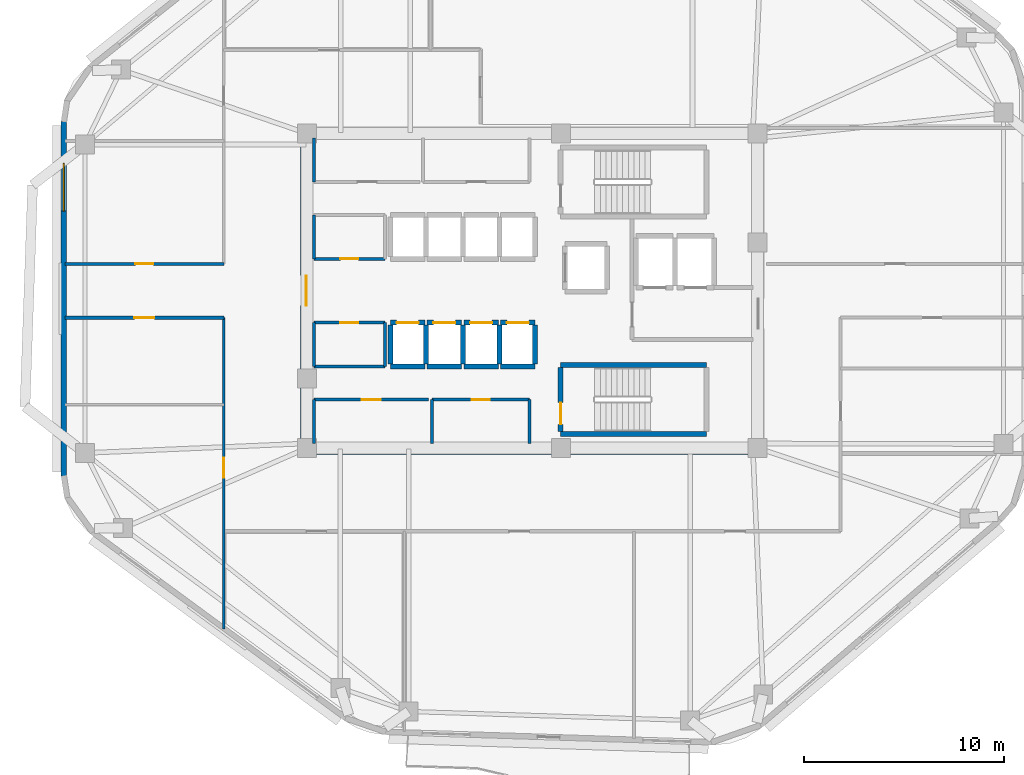
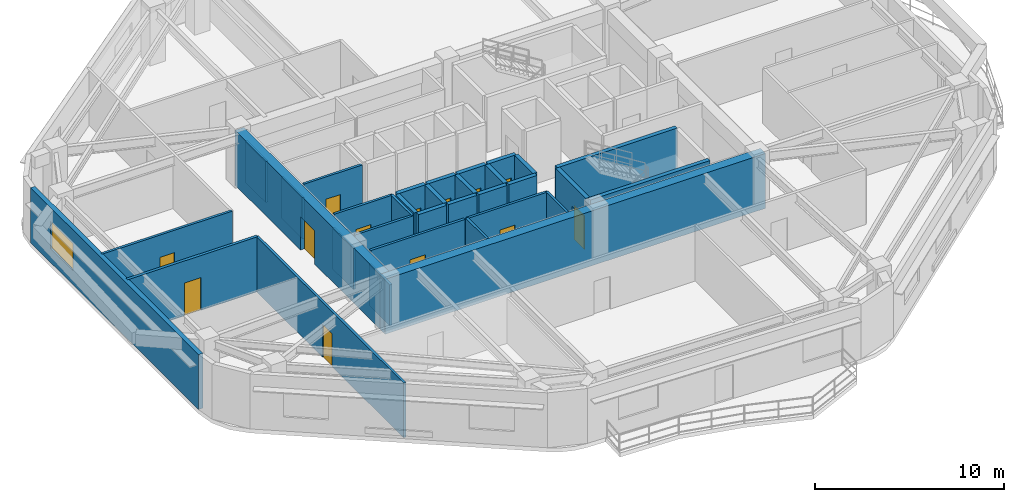
# One storey, part 3 of 8: 34 walls, 13 doors, 1 window, 14 openings.
"""IFC4 building model written with IfcOpenShell, lengths in metres."""

from ifc_helpers import new_model, si_unit, direction, frame, frame_2d, origin, place, context, subcontext, project, spatial, rectangle, extrude, material, layer, layer_set, type_object, element, fill, save


model = new_model("IFC4")

# Units and contexts
model_context = context("Model", 3, precision=1e-05, world=origin(), true_north=direction((0.0, 1.0)))
body_context = subcontext(model_context, "Body", "Model", "MODEL_VIEW")
ifc_project = project(units=[si_unit("LENGTHUNIT", "METRE"), si_unit("AREAUNIT", "SQUARE_METRE"), si_unit("VOLUMEUNIT", "CUBIC_METRE"), si_unit("PLANEANGLEUNIT", "RADIAN"), si_unit("MASSUNIT", "GRAM", prefix="KILO")], contexts=[model_context])

# Site, building, storey
site_placement = place(None, origin())
site = spatial("IfcSite", under=ifc_project, at=site_placement, CompositionType="ELEMENT")
building_placement = place(site_placement, origin())
building = spatial("IfcBuilding", under=site, at=building_placement, Name="Zulverin Broadcast Headquarters", CompositionType="ELEMENT")
storey_placement = place(building_placement, frame((0.0, 0.0, 182.0)))
storey = spatial("IfcBuildingStorey", under=building, at=storey_placement, Name="L46", CompositionType="ELEMENT", Elevation=182.0)

# Wall
ifc_material_1 = material(Name="Concrete C60/75", Category="concrete")
ifc_layer_1 = layer(ifc_material_1, 0.550048828125, Name="Concrete C60/75", Category="concrete")
ifc_layer_set_1 = layer_set([ifc_layer_1], Name="Concrete C60/75")
wall_type_1 = type_object("IfcWallType", Name="WL-CORE-550", PredefinedType="SHEAR", material=ifc_layer_set_1)
wall_1_placement = place(storey_placement, frame((25.39990234375, 17.27490234375, 0.0), z_axis=(0.0, 0.0, 1.0), x_axis=(1.0, 0.0, 0.0)))
element("IfcWall", 1, at=wall_1_placement, inside=storey, type_object=wall_type_1, Name="L46 Core South Shear Wall", PredefinedType="SHEAR", context=body_context, shape_type="SweptSolid", body=[
    extrude(rectangle(XDim=23.2001953125, YDim=0.550048828125, at=frame_2d((11.60009765625, 0.0))), origin(), (0.0, 0.0, 1.0), 3.5400390625),
])

# Wall, opening, door
wall_2_placement = place(storey_placement, frame((25.675048828125, 17.550048828125, 0.0), z_axis=(0.0, 0.0, 1.0), x_axis=(0.0, 1.0, 0.0)))
wall_2 = element("IfcWall", 2, at=wall_2_placement, inside=storey, type_object=wall_type_1, Name="L46 Core West Shear Wall", PredefinedType="SHEAR", context=body_context, shape_type="SweptSolid", body=[
    extrude(rectangle(XDim=15.300048828125, YDim=0.550048828125, at=frame_2d((7.64990234375, 0.0))), origin(), (0.0, 0.0, 1.0), 3.5400390625),
])
opening_1_placement = place(wall_2_placement, frame((6.89990234375, 0.0, 0.0)))
opening_1 = element("IfcOpeningElement", 3, at=opening_1_placement, cuts=wall_2, Name="Opening D-L46-CW1", PredefinedType="OPENING", context=body_context, shape_type="SweptSolid", body=[
    extrude(rectangle(XDim=1.5, YDim=2.14990234375, at=frame_2d((0.75, 1.074951171875))), frame((0.0, 0.284912109375, 0.0), z_axis=(0.0, -1.0, 0.0), x_axis=(1.0, 0.0, 0.0)), (0.0, 0.0, 1.0), 0.570068359375),
])
ifc_material_2 = material(Name="Fire-rated glazed steel frame", Category="steel")
door_type_1 = type_object("IfcDoorType", Name="DR-COR-1500", OperationType="DOUBLE_DOOR_SINGLE_SWING", PredefinedType="DOOR", material=ifc_material_2)
door_1_placement = place(opening_1_placement, origin())
door_1 = element("IfcDoor", 4, at=door_1_placement, inside=storey, type_object=door_type_1, Name="L46 Central Lift Lobby West Portal Door", OperationType="DOUBLE_DOOR_SINGLE_SWING", OverallHeight=2.14990234375, OverallWidth=1.5, PredefinedType="DOOR", context=body_context, shape_type="SweptSolid", body=[
    extrude(rectangle(XDim=1.5, YDim=2.14990234375, at=frame_2d((0.75, 1.074951171875))), frame((0.0, 0.02490234375, 0.0), z_axis=(0.0, -1.0, 0.0), x_axis=(1.0, 0.0, 0.0)), (0.0, 0.0, 1.0), 0.050048828125),
])
fill(opening_1, door_1)

# Wall, opening, window
ifc_material_3 = material(Name="Insulated pale-metal clad concrete spandrel C40/50", Category="concrete")
ifc_layer_2 = layer(ifc_material_3, 0.280029296875, Name="Insulated pale-metal clad concrete spandrel C40/50", Category="concrete")
ifc_layer_set_2 = layer_set([ifc_layer_2], Name="Insulated pale-metal clad concrete spandrel C40/50")
wall_type_2 = type_object("IfcWallType", Name="WL-EXT-280", PredefinedType="STANDARD", material=ifc_layer_set_2)
wall_3_placement = place(storey_placement, frame((13.5400390625, 33.673095703125, 0.0), z_axis=(0.0, 0.0, 1.0), x_axis=(0.0, -1.0, 0.0)))
wall_3 = element("IfcWall", 5, at=wall_3_placement, inside=storey, type_object=wall_type_2, Name="L46 Pale-Metal Clad Spandrel Wall 7", PredefinedType="STANDARD", context=body_context, shape_type="SweptSolid", body=[
    extrude(rectangle(XDim=17.751220703125, YDim=0.280029296875, at=frame_2d((8.87548828125, 0.0))), origin(), (0.0, 0.0, 1.0), 3.5400390625),
])
opening_2_placement = place(wall_3_placement, frame((2.091796875, 0.0, 0.89990234375)))
opening_2 = element("IfcOpeningElement", 6, at=opening_2_placement, cuts=wall_3, Name="Opening W-L46-E71", PredefinedType="OPENING", context=body_context, shape_type="SweptSolid", body=[
    extrude(rectangle(XDim=2.39990234375, YDim=1.75, at=frame_2d((1.199951171875, 0.875))), frame((0.0, 0.14990234375, 0.0), z_axis=(0.0, -1.0, 0.0), x_axis=(1.0, 0.0, 0.0)), (0.0, 0.0, 1.0), 0.300048828125),
])
ifc_material_4 = material(Name="Pale anodized aluminium frame with solar-control low-E double glazing", Category="aluminium")
window_type = type_object("IfcWindowType", Name="WIN-RIB-2400", PartitioningType="SINGLE_PANEL", PredefinedType="WINDOW", material=ifc_material_4)
window_placement = place(opening_2_placement, origin())
window = element("IfcWindow", 7, at=window_placement, inside=storey, type_object=window_type, Name="L46 Ribbon Glazing Window 7 1", OverallHeight=1.75, OverallWidth=2.39990234375, PartitioningType="SINGLE_PANEL", PredefinedType="WINDOW", context=body_context, shape_type="SweptSolid", body=[
    extrude(rectangle(XDim=2.39990234375, YDim=1.75, at=frame_2d((1.199951171875, 0.875))), frame((0.0, 0.030029296875, 0.0), z_axis=(0.0, -1.0, 0.0), x_axis=(1.0, 0.0, 0.0)), (0.0, 0.0, 1.0), 0.06005859375),
])
fill(opening_2, window)

# Wall
ifc_material_5 = material(Name="Fire-rated gypsum stud partition", Category="gypsum")
ifc_layer_3 = layer(ifc_material_5, 0.14990234375, Name="Fire-rated gypsum stud partition", Category="gypsum")
ifc_layer_set_3 = layer_set([ifc_layer_3], Name="Fire-rated gypsum stud partition")
wall_type_3 = type_object("IfcWallType", Name="WL-PART-150", PredefinedType="PARTITIONING", material=ifc_layer_set_3)
wall_4_placement = place(storey_placement, frame((26.070068359375, 30.64990234375, 0.0), z_axis=(0.0, 0.0, 1.0), x_axis=(0.0, 1.0, 0.0)))
element("IfcWall", 8, at=wall_4_placement, inside=storey, type_object=wall_type_3, Name="L46 Core Male WC West Wall", PredefinedType="PARTITIONING", context=body_context, shape_type="SweptSolid", body=[
    extrude(rectangle(XDim=2.2001953125, YDim=0.14990234375, at=frame_2d((1.10009765625, 0.0))), origin(), (0.0, 0.0, 1.0), 2.639892578125),
])

# Wall, opening, door
wall_5_placement = place(storey_placement, frame((26.070068359375, 19.75, 0.0), z_axis=(0.0, 0.0, 1.0), x_axis=(1.0, 0.0, 0.0)))
wall_5 = element("IfcWall", 9, at=wall_5_placement, inside=storey, type_object=wall_type_3, Name="L46 Core Female WC Front Wall", PredefinedType="PARTITIONING", context=body_context, shape_type="SweptSolid", body=[
    extrude(rectangle(XDim=5.739990234375, YDim=0.14990234375, at=frame_2d((2.8701171875, 0.0))), origin(), (0.0, 0.0, 1.0), 3.5400390625),
])
opening_3_placement = place(wall_5_placement, frame((2.39501953125, 0.0, 0.0)))
opening_3 = element("IfcOpeningElement", 10, at=opening_3_placement, cuts=wall_5, Name="Opening D-L46-SC1", PredefinedType="OPENING", context=body_context, shape_type="SweptSolid", body=[
    extrude(rectangle(XDim=0.949951171875, YDim=2.10009765625, at=frame_2d((0.47509765625, 1.050048828125))), frame((0.0, 0.0849609375, 0.0), z_axis=(0.0, -1.0, 0.0), x_axis=(1.0, 0.0, 0.0)), (0.0, 0.0, 1.0), 0.169921875),
])
ifc_material_6 = material(Name="Fire-rated moisture-resistant laminate leaf", Category="wood")
door_type_2 = type_object("IfcDoorType", Name="DR-WC-950", OperationType="SINGLE_SWING_LEFT", PredefinedType="DOOR", material=ifc_material_6)
door_2_placement = place(opening_3_placement, origin())
door_2 = element("IfcDoor", 11, at=door_2_placement, inside=storey, type_object=door_type_2, Name="L46 Female WC Door", OperationType="SINGLE_SWING_LEFT", OverallHeight=2.10009765625, OverallWidth=0.949951171875, PredefinedType="DOOR", context=body_context, shape_type="SweptSolid", body=[
    extrude(rectangle(XDim=0.949951171875, YDim=2.10009765625, at=frame_2d((0.47509765625, 1.050048828125))), frame((0.0, 0.02490234375, 0.0), z_axis=(0.0, -1.0, 0.0), x_axis=(1.0, 0.0, 0.0)), (0.0, 0.0, 1.0), 0.050048828125),
])
fill(opening_3, door_2)

# Wall
wall_6_placement = place(storey_placement, frame((26.070068359375, 17.550048828125, 0.0), z_axis=(0.0, 0.0, 1.0), x_axis=(0.0, 1.0, 0.0)))
element("IfcWall", 12, at=wall_6_placement, inside=storey, type_object=wall_type_3, Name="L46 Core Female WC West Wall", PredefinedType="PARTITIONING", context=body_context, shape_type="SweptSolid", body=[
    extrude(rectangle(XDim=2.199951171875, YDim=0.14990234375, at=frame_2d((1.10009765625, 0.0))), origin(), (0.0, 0.0, 1.0), 2.639892578125),
])

# Wall, opening, door
wall_7_placement = place(storey_placement, frame((31.969970703125, 19.75, 0.0), z_axis=(0.0, 0.0, 1.0), x_axis=(1.0, 0.0, 0.0)))
wall_7 = element("IfcWall", 13, at=wall_7_placement, inside=storey, type_object=wall_type_3, Name="L46 Core Cleaner Store & Telecoms Riser Front Wall", PredefinedType="PARTITIONING", context=body_context, shape_type="SweptSolid", body=[
    extrude(rectangle(XDim=4.880126953125, YDim=0.14990234375, at=frame_2d((2.43994140625, 0.0))), origin(), (0.0, 0.0, 1.0), 3.5400390625),
])
opening_4_placement = place(wall_7_placement, frame((1.989990234375, 0.0, 0.0)))
opening_4 = element("IfcOpeningElement", 14, at=opening_4_placement, cuts=wall_7, Name="Opening D-L46-SC2", PredefinedType="OPENING", context=body_context, shape_type="SweptSolid", body=[
    extrude(rectangle(XDim=0.89990234375, YDim=2.10009765625, at=frame_2d((0.449951171875, 1.050048828125))), frame((0.0, 0.0849609375, 0.0), z_axis=(0.0, -1.0, 0.0), x_axis=(1.0, 0.0, 0.0)), (0.0, 0.0, 1.0), 0.169921875),
])
ifc_material_7 = material(Name="Powder-coated steel access leaf", Category="steel")
door_type_3 = type_object("IfcDoorType", Name="DR-RISER-900", OperationType="SINGLE_SWING_LEFT", PredefinedType="DOOR", material=ifc_material_7)
door_3_placement = place(opening_4_placement, origin())
door_3 = element("IfcDoor", 15, at=door_3_placement, inside=storey, type_object=door_type_3, Name="L46 Cleaner Store & Telecoms Riser Door", OperationType="SINGLE_SWING_RIGHT", OverallHeight=2.10009765625, OverallWidth=0.89990234375, PredefinedType="DOOR", context=body_context, shape_type="SweptSolid", body=[
    extrude(rectangle(XDim=0.89990234375, YDim=2.10009765625, at=frame_2d((0.449951171875, 1.050048828125))), frame((0.0, 0.02490234375, 0.0), z_axis=(0.0, -1.0, 0.0), x_axis=(1.0, 0.0, 0.0)), (0.0, 0.0, 1.0), 0.050048828125),
])
fill(opening_4, door_3)

# Walls
for number, where, z_axis, x_axis, name in (
    (16, (31.969970703125, 17.550048828125, 0.0), (0.0, 0.0, 1.0), (0.0, 1.0, 0.0), "L46 Core Cleaner Store & Telecoms Riser West Wall"),
    (17, (36.85009765625, 17.550048828125, 0.0), (0.0, 0.0, 1.0), (0.0, 1.0, 0.0), "L46 Core Cleaner Store & Telecoms Riser East Wall"),
):
    element("IfcWall", number, at=place(storey_placement, frame(where, z_axis=z_axis, x_axis=x_axis)), inside=storey, type_object=wall_type_3, Name=name, PredefinedType="PARTITIONING", context=body_context, shape_type="SweptSolid", body=[
        extrude(rectangle(XDim=2.199951171875, YDim=0.14990234375, at=frame_2d((1.10009765625, 0.0))), origin(), (0.0, 0.0, 1.0), 3.5400390625),
    ])

# Wall, opening, door
wall_8_placement = place(storey_placement, frame((26.070068359375, 26.800048828125, 0.0), z_axis=(0.0, 0.0, 1.0), x_axis=(1.0, 0.0, 0.0)))
wall_8 = element("IfcWall", 18, at=wall_8_placement, inside=storey, type_object=wall_type_3, Name="L46 Broadcast Signal Patch Room S Wall", PredefinedType="PARTITIONING", context=body_context, shape_type="SweptSolid", body=[
    extrude(rectangle(XDim=3.550048828125, YDim=0.14990234375, at=frame_2d((1.77490234375, 0.0))), origin(), (0.0, 0.0, 1.0), 3.5400390625),
])
opening_5_placement = place(wall_8_placement, frame((1.324951171875, 0.0, 0.0)))
opening_5 = element("IfcOpeningElement", 19, at=opening_5_placement, cuts=wall_8, Name="Opening D-L46-RCLN", PredefinedType="OPENING", context=body_context, shape_type="SweptSolid", body=[
    extrude(rectangle(XDim=0.89990234375, YDim=2.10009765625, at=frame_2d((0.449951171875, 1.050048828125))), frame((0.0, 0.0849609375, 0.0), z_axis=(0.0, -1.0, 0.0), x_axis=(1.0, 0.0, 0.0)), (0.0, 0.0, 1.0), 0.169921875),
])
door_4_placement = place(opening_5_placement, origin())
door_4 = element("IfcDoor", 20, at=door_4_placement, inside=storey, type_object=door_type_3, Name="L46 Broadcast Signal Patch Room Door", OperationType="SINGLE_SWING_LEFT", OverallHeight=2.10009765625, OverallWidth=0.89990234375, PredefinedType="DOOR", context=body_context, shape_type="SweptSolid", body=[
    extrude(rectangle(XDim=0.89990234375, YDim=2.10009765625, at=frame_2d((0.449951171875, 1.050048828125))), frame((0.0, 0.02490234375, 0.0), z_axis=(0.0, -1.0, 0.0), x_axis=(1.0, 0.0, 0.0)), (0.0, 0.0, 1.0), 0.050048828125),
])
fill(opening_5, door_4)

# Walls
wall_9_placement = place(storey_placement, frame((26.070068359375, 26.800048828125, 0.0), z_axis=(0.0, 0.0, 1.0), x_axis=(0.0, 1.0, 0.0)))
element("IfcWall", 21, at=wall_9_placement, inside=storey, type_object=wall_type_3, Name="L46 Broadcast Signal Patch Room W Wall", PredefinedType="PARTITIONING", context=body_context, shape_type="SweptSolid", body=[
    extrude(rectangle(XDim=2.199951171875, YDim=0.14990234375, at=frame_2d((1.10009765625, 0.0))), origin(), (0.0, 0.0, 1.0), 2.639892578125),
])
wall_10_placement = place(storey_placement, frame((26.070068359375, 21.39990234375, 0.0), z_axis=(0.0, 0.0, 1.0), x_axis=(1.0, 0.0, 0.0)))
element("IfcWall", 22, at=wall_10_placement, inside=storey, type_object=wall_type_3, Name="L46 Media Ingestion Server Room S Wall", PredefinedType="PARTITIONING", context=body_context, shape_type="SweptSolid", body=[
    extrude(rectangle(XDim=3.550048828125, YDim=0.14990234375, at=frame_2d((1.77490234375, 0.0))), origin(), (0.0, 0.0, 1.0), 3.5400390625),
])

# Wall, opening, door
wall_11_placement = place(storey_placement, frame((26.070068359375, 23.60009765625, 0.0), z_axis=(0.0, 0.0, 1.0), x_axis=(1.0, 0.0, 0.0)))
wall_11 = element("IfcWall", 23, at=wall_11_placement, inside=storey, type_object=wall_type_3, Name="L46 Media Ingestion Server Room N Wall", PredefinedType="PARTITIONING", context=body_context, shape_type="SweptSolid", body=[
    extrude(rectangle(XDim=3.550048828125, YDim=0.14990234375, at=frame_2d((1.77490234375, 0.0))), origin(), (0.0, 0.0, 1.0), 3.5400390625),
])
opening_6_placement = place(wall_11_placement, frame((1.324951171875, 0.0, 0.0)))
opening_6 = element("IfcOpeningElement", 24, at=opening_6_placement, cuts=wall_11, Name="Opening D-L46-RCLS", PredefinedType="OPENING", context=body_context, shape_type="SweptSolid", body=[
    extrude(rectangle(XDim=0.89990234375, YDim=2.10009765625, at=frame_2d((0.449951171875, 1.050048828125))), frame((0.0, 0.0849609375, 0.0), z_axis=(0.0, -1.0, 0.0), x_axis=(1.0, 0.0, 0.0)), (0.0, 0.0, 1.0), 0.169921875),
])
door_5_placement = place(opening_6_placement, origin())
door_5 = element("IfcDoor", 25, at=door_5_placement, inside=storey, type_object=door_type_3, Name="L46 Media Ingestion Server Room Door", OperationType="SINGLE_SWING_RIGHT", OverallHeight=2.10009765625, OverallWidth=0.89990234375, PredefinedType="DOOR", context=body_context, shape_type="SweptSolid", body=[
    extrude(rectangle(XDim=0.89990234375, YDim=2.10009765625, at=frame_2d((0.449951171875, 1.050048828125))), frame((0.0, 0.02490234375, 0.0), z_axis=(0.0, -1.0, 0.0), x_axis=(1.0, 0.0, 0.0)), (0.0, 0.0, 1.0), 0.050048828125),
])
fill(opening_6, door_5)

# Walls
wall_12_placement = place(storey_placement, frame((26.070068359375, 21.39990234375, 0.0), z_axis=(0.0, 0.0, 1.0), x_axis=(0.0, 1.0, 0.0)))
element("IfcWall", 26, at=wall_12_placement, inside=storey, type_object=wall_type_3, Name="L46 Media Ingestion Server Room W Wall", PredefinedType="PARTITIONING", context=body_context, shape_type="SweptSolid", body=[
    extrude(rectangle(XDim=2.2001953125, YDim=0.14990234375, at=frame_2d((1.10009765625, 0.0))), origin(), (0.0, 0.0, 1.0), 2.639892578125),
])
wall_13_placement = place(storey_placement, frame((29.6201171875, 21.39990234375, 0.0), z_axis=(0.0, 0.0, 1.0), x_axis=(0.0, 1.0, 0.0)))
element("IfcWall", 27, at=wall_13_placement, inside=storey, type_object=wall_type_3, Name="L46 Media Ingestion Server Room E Wall", PredefinedType="PARTITIONING", context=body_context, shape_type="SweptSolid", body=[
    extrude(rectangle(XDim=2.2001953125, YDim=0.14990234375, at=frame_2d((1.10009765625, 0.0))), origin(), (0.0, 0.0, 1.0), 3.5400390625),
])

# Wall, opening, door
wall_14_placement = place(storey_placement, frame((21.550048828125, 8.25048828125, 0.0), z_axis=(0.0, 0.0, 1.0), x_axis=(0.0, 1.0, 0.0)))
wall_14 = element("IfcWall", 28, at=wall_14_placement, inside=storey, type_object=wall_type_3, Name="L46 Gallery Partition Wall CG-06", PredefinedType="PARTITIONING", context=body_context, shape_type="SweptSolid", body=[
    extrude(rectangle(XDim=15.599609375, YDim=0.14990234375, at=frame_2d((7.7998046875, 0.0))), origin(), (0.0, 0.0, 1.0), 3.5400390625),
])
opening_7_placement = place(wall_14_placement, frame((7.574462890625, 0.0, 0.0)))
opening_7 = element("IfcOpeningElement", 29, at=opening_7_placement, cuts=wall_14, Name="Opening D-L46-06", PredefinedType="OPENING", context=body_context, shape_type="SweptSolid", body=[
    extrude(rectangle(XDim=1.0, YDim=2.1201171875, at=frame_2d((0.5, 1.06005859375))), frame((0.0, 0.0849609375, 0.0), z_axis=(0.0, -1.0, 0.0), x_axis=(1.0, 0.0, 0.0)), (0.0, 0.0, 1.0), 0.169921875),
])
ifc_material_8 = material(Name="Hardwood veneer acoustic leaf", Category="wood")
door_type_4 = type_object("IfcDoorType", Name="DR-OFF-1000", OperationType="SINGLE_SWING_LEFT", PredefinedType="DOOR", material=ifc_material_8)
door_6_placement = place(opening_7_placement, origin())
door_6 = element("IfcDoor", 30, at=door_6_placement, inside=storey, type_object=door_type_4, Name="L46 Legal Office Door", OperationType="SINGLE_SWING_RIGHT", OverallHeight=2.1201171875, OverallWidth=1.0, PredefinedType="DOOR", context=body_context, shape_type="SweptSolid", body=[
    extrude(rectangle(XDim=1.0, YDim=2.1201171875, at=frame_2d((0.5, 1.06005859375))), frame((0.0, 0.02490234375, 0.0), z_axis=(0.0, -1.0, 0.0), x_axis=(1.0, 0.0, 0.0)), (0.0, 0.0, 1.0), 0.050048828125),
])
fill(opening_7, door_6)

wall_15_placement = place(storey_placement, frame((13.60498046875, 26.550048828125, 0.0), z_axis=(0.0, 0.0, 1.0), x_axis=(1.0, 0.0, 0.0)))
wall_15 = element("IfcWall", 31, at=wall_15_placement, inside=storey, type_object=wall_type_3, Name="L46 Gallery Partition Wall CG-14", PredefinedType="PARTITIONING", context=body_context, shape_type="SweptSolid", body=[
    extrude(rectangle(XDim=7.945068359375, YDim=0.14990234375, at=frame_2d((3.97265625, 0.0))), origin(), (0.0, 0.0, 1.0), 3.5400390625),
])
opening_8_placement = place(wall_15_placement, frame((3.5224609375, 0.0, 0.0)))
opening_8 = element("IfcOpeningElement", 32, at=opening_8_placement, cuts=wall_15, Name="Opening D-L46-08", PredefinedType="OPENING", context=body_context, shape_type="SweptSolid", body=[
    extrude(rectangle(XDim=0.89990234375, YDim=2.10009765625, at=frame_2d((0.449951171875, 1.050048828125))), frame((0.0, 0.0849609375, 0.0), z_axis=(0.0, -1.0, 0.0), x_axis=(1.0, 0.0, 0.0)), (0.0, 0.0, 1.0), 0.169921875),
])
ifc_material_9 = material(Name="Fire-rated hardwood veneer timber leaf", Category="wood")
door_type_5 = type_object("IfcDoorType", Name="DR-ROOM-900", OperationType="SINGLE_SWING_RIGHT", PredefinedType="DOOR", material=ifc_material_9)
door_7_placement = place(opening_8_placement, origin())
door_7 = element("IfcDoor", 33, at=door_7_placement, inside=storey, type_object=door_type_5, Name="L46 Conference Room Door", OperationType="SINGLE_SWING_RIGHT", OverallHeight=2.10009765625, OverallWidth=0.89990234375, PredefinedType="DOOR", context=body_context, shape_type="SweptSolid", body=[
    extrude(rectangle(XDim=0.89990234375, YDim=2.10009765625, at=frame_2d((0.449951171875, 1.050048828125))), frame((0.0, 0.02490234375, 0.0), z_axis=(0.0, -1.0, 0.0), x_axis=(1.0, 0.0, 0.0)), (0.0, 0.0, 1.0), 0.050048828125),
])
fill(opening_8, door_7)

ifc_material_10 = material(Name="Fire-rated acoustic stud wall", Category="gypsum")
ifc_layer_4 = layer(ifc_material_10, 0.175048828125, Name="Fire-rated acoustic stud wall", Category="gypsum")
ifc_layer_set_4 = layer_set([ifc_layer_4], Name="Fire-rated acoustic stud wall")
wall_type_4 = type_object("IfcWallType", Name="WL-PART-175", PredefinedType="PARTITIONING", material=ifc_layer_set_4)
wall_16_placement = place(storey_placement, frame((13.60498046875, 23.85009765625, 0.0), z_axis=(0.0, 0.0, 1.0), x_axis=(1.0, 0.0, 0.0)))
wall_16 = element("IfcWall", 34, at=wall_16_placement, inside=storey, type_object=wall_type_4, Name="L46 Gallery Partition Wall CG-12", PredefinedType="PARTITIONING", context=body_context, shape_type="SweptSolid", body=[
    extrude(rectangle(XDim=7.945068359375, YDim=0.175048828125, at=frame_2d((3.97265625, 0.0))), origin(), (0.0, 0.0, 1.0), 3.5400390625),
])
opening_9_placement = place(wall_16_placement, frame((3.472412109375, 0.0, 0.0)))
opening_9 = element("IfcOpeningElement", 35, at=opening_9_placement, cuts=wall_16, Name="Opening D-L46-07", PredefinedType="OPENING", context=body_context, shape_type="SweptSolid", body=[
    extrude(rectangle(XDim=1.0, YDim=2.1201171875, at=frame_2d((0.5, 1.06005859375))), frame((0.0, 0.097412109375, 0.0), z_axis=(0.0, -1.0, 0.0), x_axis=(1.0, 0.0, 0.0)), (0.0, 0.0, 1.0), 0.195068359375),
])
door_8_placement = place(opening_9_placement, origin())
door_8 = element("IfcDoor", 36, at=door_8_placement, inside=storey, type_object=door_type_4, Name="L46 Admin Office Door", OperationType="SINGLE_SWING_LEFT", OverallHeight=2.1201171875, OverallWidth=1.0, PredefinedType="DOOR", context=body_context, shape_type="SweptSolid", body=[
    extrude(rectangle(XDim=1.0, YDim=2.1201171875, at=frame_2d((0.5, 1.06005859375))), frame((0.0, 0.02490234375, 0.0), z_axis=(0.0, -1.0, 0.0), x_axis=(1.0, 0.0, 0.0)), (0.0, 0.0, 1.0), 0.050048828125),
])
fill(opening_9, door_8)

# Walls
ifc_material_11 = material(Name="Concrete C50/60", Category="concrete")
ifc_layer_5 = layer(ifc_material_11, 0.25, Name="Concrete C50/60", Category="concrete")
ifc_layer_set_5 = layer_set([ifc_layer_5], Name="Concrete C50/60")
wall_type_5 = type_object("IfcWallType", Name="WL-SHAFT-250", PredefinedType="SHEAR", material=ifc_layer_set_5)
for number, where, z_axis, x_axis, name in (
    (37, (38.425048828125, 18.02490234375, 0.0), (0.0, 0.0, 1.0), (1.0, 0.0, 0.0), "L46 ST-2 Enclosure Wall S"),
    (38, (38.425048828125, 21.47509765625, 0.0), (0.0, 0.0, 1.0), (1.0, 0.0, 0.0), "L46 ST-2 Enclosure Wall N"),
):
    element("IfcWall", number, at=place(storey_placement, frame(where, z_axis=z_axis, x_axis=x_axis)), inside=storey, type_object=wall_type_5, Name=name, PredefinedType="SHEAR", context=body_context, shape_type="SweptSolid", body=[
        extrude(rectangle(XDim=7.300048828125, YDim=0.25, at=frame_2d((3.64990234375, 0.0))), origin(), (0.0, 0.0, 1.0), 3.5400390625),
    ])

# Wall, opening, door
wall_17_placement = place(storey_placement, frame((38.425048828125, 18.14990234375, 0.0), z_axis=(0.0, 0.0, 1.0), x_axis=(0.0, 1.0, 0.0)))
wall_17 = element("IfcWall", 39, at=wall_17_placement, inside=storey, type_object=wall_type_5, Name="L46 ST-2 Enclosure Wall W", PredefinedType="SHEAR", context=body_context, shape_type="SweptSolid", body=[
    extrude(rectangle(XDim=3.2001953125, YDim=0.25, at=frame_2d((1.60009765625, 0.0))), origin(), (0.0, 0.0, 1.0), 3.5400390625),
])
opening_10_placement = place(wall_17_placement, frame((0.35009765625, 0.0, 0.0)))
opening_10 = element("IfcOpeningElement", 40, at=opening_10_placement, cuts=wall_17, Name="Opening D-L46-ST-2", PredefinedType="OPENING", context=body_context, shape_type="SweptSolid", body=[
    extrude(rectangle(XDim=1.10009765625, YDim=2.14990234375, at=frame_2d((0.550048828125, 1.074951171875))), frame((0.0, 0.135009765625, 0.0), z_axis=(0.0, -1.0, 0.0), x_axis=(1.0, 0.0, 0.0)), (0.0, 0.0, 1.0), 0.27001953125),
])
ifc_material_12 = material(Name="Fire-rated steel leaf and frame", Category="steel")
door_type_6 = type_object("IfcDoorType", Name="DR-STAIR-1100", OperationType="SINGLE_SWING_LEFT", PredefinedType="DOOR", material=ifc_material_12)
door_9_placement = place(opening_10_placement, origin())
door_9 = element("IfcDoor", 41, at=door_9_placement, inside=storey, type_object=door_type_6, Name="L46 Exit Stair ST-2 Fire Door", OperationType="SINGLE_SWING_RIGHT", OverallHeight=2.14990234375, OverallWidth=1.10009765625, PredefinedType="DOOR", context=body_context, shape_type="SweptSolid", body=[
    extrude(rectangle(XDim=1.10009765625, YDim=2.14990234375, at=frame_2d((0.550048828125, 1.074951171875))), frame((0.0, 0.02490234375, 0.0), z_axis=(0.0, -1.0, 0.0), x_axis=(1.0, 0.0, 0.0)), (0.0, 0.0, 1.0), 0.050048828125),
])
fill(opening_10, door_9)

# Wall
wall_18_placement = place(storey_placement, frame((29.89990234375, 21.39990234375, 0.0), z_axis=(0.0, 0.0, 1.0), x_axis=(1.0, 0.0, 0.0)))
element("IfcWall", 42, at=wall_18_placement, inside=storey, type_object=wall_type_5, Name="L46 Lift PL-M1 Shaft Wall S", PredefinedType="SHEAR", context=body_context, shape_type="SweptSolid", body=[
    extrude(rectangle(XDim=1.72021484375, YDim=0.25, at=frame_2d((0.860107421875, 0.0))), origin(), (0.0, 0.0, 1.0), 3.5400390625),
])

# Wall, opening, door
wall_19_placement = place(storey_placement, frame((29.89990234375, 23.60009765625, 0.0), z_axis=(0.0, 0.0, 1.0), x_axis=(1.0, 0.0, 0.0)))
wall_19 = element("IfcWall", 43, at=wall_19_placement, inside=storey, type_object=wall_type_5, Name="L46 Lift PL-M1 Shaft Wall N", PredefinedType="SHEAR", context=body_context, shape_type="SweptSolid", body=[
    extrude(rectangle(XDim=1.72021484375, YDim=0.25, at=frame_2d((0.860107421875, 0.0))), origin(), (0.0, 0.0, 1.0), 3.5400390625),
])
opening_11_placement = place(wall_19_placement, frame((0.31005859375, 0.0, 0.0)))
opening_11 = element("IfcOpeningElement", 44, at=opening_11_placement, cuts=wall_19, Name="Opening LD-PL-M1-L46", PredefinedType="OPENING", context=body_context, shape_type="SweptSolid", body=[
    extrude(rectangle(XDim=1.10009765625, YDim=2.14990234375, at=frame_2d((0.550048828125, 1.074951171875))), frame((0.0, 0.135009765625, 0.0), z_axis=(0.0, -1.0, 0.0), x_axis=(1.0, 0.0, 0.0)), (0.0, 0.0, 1.0), 0.27001953125),
])
ifc_material_13 = material(Name="Brushed stainless steel landing", Category="steel")
door_type_7 = type_object("IfcDoorType", Name="LD-PASS-1100", OperationType="DOUBLE_DOOR_SLIDING", PredefinedType="DOOR", material=ifc_material_13)
door_10_placement = place(opening_11_placement, origin())
door_10 = element("IfcDoor", 45, at=door_10_placement, inside=storey, type_object=door_type_7, Name="L46 Lift PL-M1 Sliding Landing Door", OperationType="DOUBLE_DOOR_SLIDING", OverallHeight=2.14990234375, OverallWidth=1.10009765625, PredefinedType="DOOR", context=body_context, shape_type="SweptSolid", body=[
    extrude(rectangle(XDim=1.10009765625, YDim=2.14990234375, at=frame_2d((0.550048828125, 1.074951171875))), frame((0.0, 0.02490234375, 0.0), z_axis=(0.0, -1.0, 0.0), x_axis=(1.0, 0.0, 0.0)), (0.0, 0.0, 1.0), 0.050048828125),
])
fill(opening_11, door_10)

# Walls
for number, where, z_axis, x_axis, name in (
    (46, (29.89990234375, 21.52001953125, 0.0), (0.0, 0.0, 1.0), (0.0, 1.0, 0.0), "L46 Lift PL-M1 Shaft Wall W"),
    (47, (31.679931640625, 21.52001953125, 0.0), (0.0, 0.0, 1.0), (0.0, 1.0, 0.0), "L46 Lift PL-M1 Shaft Wall E"),
):
    element("IfcWall", number, at=place(storey_placement, frame(where, z_axis=z_axis, x_axis=x_axis)), inside=storey, type_object=wall_type_5, Name=name, PredefinedType="SHEAR", context=body_context, shape_type="SweptSolid", body=[
        extrude(rectangle(XDim=1.9599609375, YDim=0.25, at=frame_2d((0.97998046875, 0.0))), origin(), (0.0, 0.0, 1.0), 3.5400390625),
    ])
wall_20_placement = place(storey_placement, frame((31.739990234375, 21.39990234375, 0.0), z_axis=(0.0, 0.0, 1.0), x_axis=(1.0, 0.0, 0.0)))
element("IfcWall", 48, at=wall_20_placement, inside=storey, type_object=wall_type_5, Name="L46 Lift PL-M2 Shaft Wall S", PredefinedType="SHEAR", context=body_context, shape_type="SweptSolid", body=[
    extrude(rectangle(XDim=1.719970703125, YDim=0.25, at=frame_2d((0.85986328125, 0.0))), origin(), (0.0, 0.0, 1.0), 3.5400390625),
])

# Wall, opening, door
wall_21_placement = place(storey_placement, frame((31.739990234375, 23.60009765625, 0.0), z_axis=(0.0, 0.0, 1.0), x_axis=(1.0, 0.0, 0.0)))
wall_21 = element("IfcWall", 49, at=wall_21_placement, inside=storey, type_object=wall_type_5, Name="L46 Lift PL-M2 Shaft Wall N", PredefinedType="SHEAR", context=body_context, shape_type="SweptSolid", body=[
    extrude(rectangle(XDim=1.719970703125, YDim=0.25, at=frame_2d((0.85986328125, 0.0))), origin(), (0.0, 0.0, 1.0), 3.5400390625),
])
opening_12_placement = place(wall_21_placement, frame((0.31005859375, 0.0, 0.0)))
opening_12 = element("IfcOpeningElement", 50, at=opening_12_placement, cuts=wall_21, Name="Opening LD-PL-M2-L46", PredefinedType="OPENING", context=body_context, shape_type="SweptSolid", body=[
    extrude(rectangle(XDim=1.10009765625, YDim=2.14990234375, at=frame_2d((0.550048828125, 1.074951171875))), frame((0.0, 0.135009765625, 0.0), z_axis=(0.0, -1.0, 0.0), x_axis=(1.0, 0.0, 0.0)), (0.0, 0.0, 1.0), 0.27001953125),
])
door_11_placement = place(opening_12_placement, origin())
door_11 = element("IfcDoor", 51, at=door_11_placement, inside=storey, type_object=door_type_7, Name="L46 Lift PL-M2 Sliding Landing Door", OperationType="DOUBLE_DOOR_SLIDING", OverallHeight=2.14990234375, OverallWidth=1.10009765625, PredefinedType="DOOR", context=body_context, shape_type="SweptSolid", body=[
    extrude(rectangle(XDim=1.10009765625, YDim=2.14990234375, at=frame_2d((0.550048828125, 1.074951171875))), frame((0.0, 0.02490234375, 0.0), z_axis=(0.0, -1.0, 0.0), x_axis=(1.0, 0.0, 0.0)), (0.0, 0.0, 1.0), 0.050048828125),
])
fill(opening_12, door_11)

# Walls
wall_22_placement = place(storey_placement, frame((33.52001953125, 21.52001953125, 0.0), z_axis=(0.0, 0.0, 1.0), x_axis=(0.0, 1.0, 0.0)))
element("IfcWall", 52, at=wall_22_placement, inside=storey, type_object=wall_type_5, Name="L46 Lift PL-M2 Shaft Wall E", PredefinedType="SHEAR", context=body_context, shape_type="SweptSolid", body=[
    extrude(rectangle(XDim=1.9599609375, YDim=0.25, at=frame_2d((0.97998046875, 0.0))), origin(), (0.0, 0.0, 1.0), 3.5400390625),
])
wall_23_placement = place(storey_placement, frame((33.580078125, 21.39990234375, 0.0), z_axis=(0.0, 0.0, 1.0), x_axis=(1.0, 0.0, 0.0)))
element("IfcWall", 53, at=wall_23_placement, inside=storey, type_object=wall_type_5, Name="L46 Lift PL-M3 Shaft Wall S", PredefinedType="SHEAR", context=body_context, shape_type="SweptSolid", body=[
    extrude(rectangle(XDim=1.719970703125, YDim=0.25, at=frame_2d((0.85986328125, 0.0))), origin(), (0.0, 0.0, 1.0), 3.5400390625),
])

# Wall, opening, door
wall_24_placement = place(storey_placement, frame((33.580078125, 23.60009765625, 0.0), z_axis=(0.0, 0.0, 1.0), x_axis=(1.0, 0.0, 0.0)))
wall_24 = element("IfcWall", 54, at=wall_24_placement, inside=storey, type_object=wall_type_5, Name="L46 Lift PL-M3 Shaft Wall N", PredefinedType="SHEAR", context=body_context, shape_type="SweptSolid", body=[
    extrude(rectangle(XDim=1.719970703125, YDim=0.25, at=frame_2d((0.85986328125, 0.0))), origin(), (0.0, 0.0, 1.0), 3.5400390625),
])
opening_13_placement = place(wall_24_placement, frame((0.31005859375, 0.0, 0.0)))
opening_13 = element("IfcOpeningElement", 55, at=opening_13_placement, cuts=wall_24, Name="Opening LD-PL-M3-L46", PredefinedType="OPENING", context=body_context, shape_type="SweptSolid", body=[
    extrude(rectangle(XDim=1.10009765625, YDim=2.14990234375, at=frame_2d((0.550048828125, 1.074951171875))), frame((0.0, 0.135009765625, 0.0), z_axis=(0.0, -1.0, 0.0), x_axis=(1.0, 0.0, 0.0)), (0.0, 0.0, 1.0), 0.27001953125),
])
door_12_placement = place(opening_13_placement, origin())
door_12 = element("IfcDoor", 56, at=door_12_placement, inside=storey, type_object=door_type_7, Name="L46 Lift PL-M3 Sliding Landing Door", OperationType="DOUBLE_DOOR_SLIDING", OverallHeight=2.14990234375, OverallWidth=1.10009765625, PredefinedType="DOOR", context=body_context, shape_type="SweptSolid", body=[
    extrude(rectangle(XDim=1.10009765625, YDim=2.14990234375, at=frame_2d((0.550048828125, 1.074951171875))), frame((0.0, 0.02490234375, 0.0), z_axis=(0.0, -1.0, 0.0), x_axis=(1.0, 0.0, 0.0)), (0.0, 0.0, 1.0), 0.050048828125),
])
fill(opening_13, door_12)

# Walls
wall_25_placement = place(storey_placement, frame((35.360107421875, 21.52001953125, 0.0), z_axis=(0.0, 0.0, 1.0), x_axis=(0.0, 1.0, 0.0)))
element("IfcWall", 57, at=wall_25_placement, inside=storey, type_object=wall_type_5, Name="L46 Lift PL-M3 Shaft Wall E", PredefinedType="SHEAR", context=body_context, shape_type="SweptSolid", body=[
    extrude(rectangle(XDim=1.9599609375, YDim=0.25, at=frame_2d((0.97998046875, 0.0))), origin(), (0.0, 0.0, 1.0), 3.5400390625),
])
wall_26_placement = place(storey_placement, frame((35.419921875, 21.39990234375, 0.0), z_axis=(0.0, 0.0, 1.0), x_axis=(1.0, 0.0, 0.0)))
element("IfcWall", 58, at=wall_26_placement, inside=storey, type_object=wall_type_5, Name="L46 Lift PL-M4 Shaft Wall S", PredefinedType="SHEAR", context=body_context, shape_type="SweptSolid", body=[
    extrude(rectangle(XDim=1.719970703125, YDim=0.25, at=frame_2d((0.85986328125, 0.0))), origin(), (0.0, 0.0, 1.0), 3.5400390625),
])

# Wall, opening, door
wall_27_placement = place(storey_placement, frame((35.419921875, 23.60009765625, 0.0), z_axis=(0.0, 0.0, 1.0), x_axis=(1.0, 0.0, 0.0)))
wall_27 = element("IfcWall", 59, at=wall_27_placement, inside=storey, type_object=wall_type_5, Name="L46 Lift PL-M4 Shaft Wall N", PredefinedType="SHEAR", context=body_context, shape_type="SweptSolid", body=[
    extrude(rectangle(XDim=1.719970703125, YDim=0.25, at=frame_2d((0.85986328125, 0.0))), origin(), (0.0, 0.0, 1.0), 3.5400390625),
])
opening_14_placement = place(wall_27_placement, frame((0.31005859375, 0.0, 0.0)))
opening_14 = element("IfcOpeningElement", 60, at=opening_14_placement, cuts=wall_27, Name="Opening LD-PL-M4-L46", PredefinedType="OPENING", context=body_context, shape_type="SweptSolid", body=[
    extrude(rectangle(XDim=1.10009765625, YDim=2.14990234375, at=frame_2d((0.550048828125, 1.074951171875))), frame((0.0, 0.135009765625, 0.0), z_axis=(0.0, -1.0, 0.0), x_axis=(1.0, 0.0, 0.0)), (0.0, 0.0, 1.0), 0.27001953125),
])
door_13_placement = place(opening_14_placement, origin())
door_13 = element("IfcDoor", 61, at=door_13_placement, inside=storey, type_object=door_type_7, Name="L46 Lift PL-M4 Sliding Landing Door", OperationType="DOUBLE_DOOR_SLIDING", OverallHeight=2.14990234375, OverallWidth=1.10009765625, PredefinedType="DOOR", context=body_context, shape_type="SweptSolid", body=[
    extrude(rectangle(XDim=1.10009765625, YDim=2.14990234375, at=frame_2d((0.550048828125, 1.074951171875))), frame((0.0, 0.02490234375, 0.0), z_axis=(0.0, -1.0, 0.0), x_axis=(1.0, 0.0, 0.0)), (0.0, 0.0, 1.0), 0.050048828125),
])
fill(opening_14, door_13)

# Wall
wall_28_placement = place(storey_placement, frame((37.139892578125, 21.52001953125, 0.0), z_axis=(0.0, 0.0, 1.0), x_axis=(0.0, 1.0, 0.0)))
element("IfcWall", 62, at=wall_28_placement, inside=storey, type_object=wall_type_5, Name="L46 Lift PL-M4 Shaft Wall E", PredefinedType="SHEAR", context=body_context, shape_type="SweptSolid", body=[
    extrude(rectangle(XDim=1.9599609375, YDim=0.25, at=frame_2d((0.97998046875, 0.0))), origin(), (0.0, 0.0, 1.0), 3.5400390625),
])

save(model, "model.ifc")
